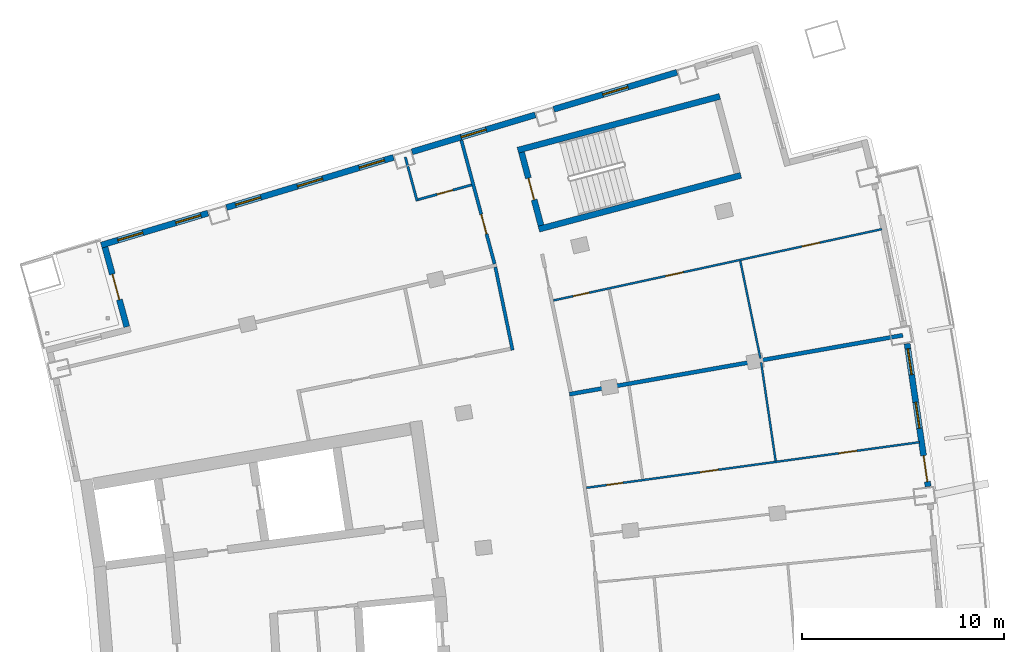
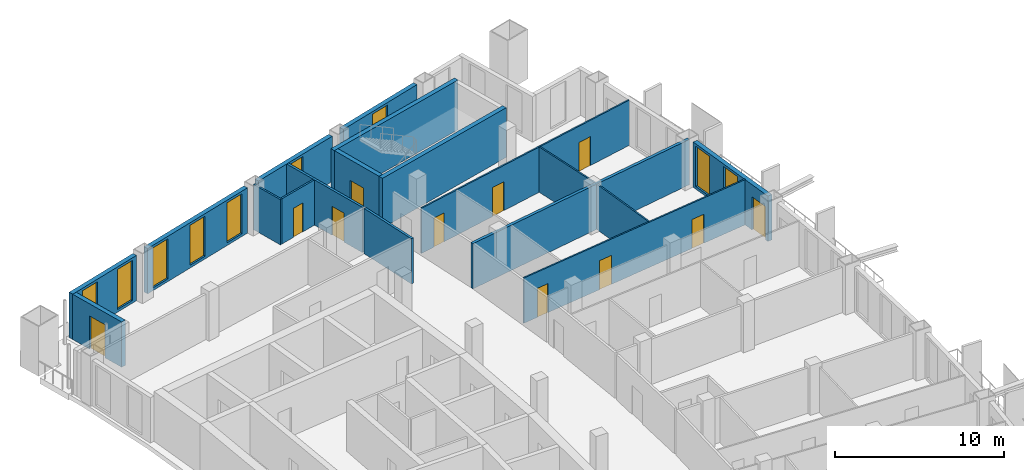
# One storey, part 14 of 17: 18 walls, 11 doors, 9 windows, 20 openings.
"""IFC4 building model written with IfcOpenShell, lengths in metres."""

from ifc_helpers import new_model, si_unit, direction, frame, frame_2d, origin, place, context, subcontext, project, spatial, rectangle, extrude, material, layer, layer_set, type_object, element, fill, save


model = new_model("IFC4")

# Units and contexts
model_context = context("Model", 3, precision=1e-05, world=origin(), true_north=direction((0.0, 1.0)))
body_context = subcontext(model_context, "Body", "Model", "MODEL_VIEW")
ifc_project = project(units=[si_unit("LENGTHUNIT", "METRE"), si_unit("AREAUNIT", "SQUARE_METRE"), si_unit("VOLUMEUNIT", "CUBIC_METRE"), si_unit("PLANEANGLEUNIT", "RADIAN"), si_unit("MASSUNIT", "GRAM", prefix="KILO")], contexts=[model_context])

# Site, building, storey
site_placement = place(None, origin())
site = spatial("IfcSite", under=ifc_project, at=site_placement, CompositionType="ELEMENT")
building_placement = place(site_placement, origin())
building = spatial("IfcBuilding", under=site, at=building_placement, Name="Alderwake Tower", CompositionType="ELEMENT")
storey_placement = place(building_placement, frame((0.0, 0.0, 214.39990234375)))
storey = spatial("IfcBuildingStorey", under=building, at=storey_placement, Name="L53", CompositionType="ELEMENT", Elevation=214.39990234375)

# Walls
ifc_material_1 = material(Name="Concrete C70/85", Category="concrete")
ifc_layer_1 = layer(ifc_material_1, 0.300048828125)
ifc_layer_set_1 = layer_set([ifc_layer_1], Name="Core wall stair enclosure 300 C70-85")
wall_type_1 = type_object("IfcWallType", Name="Core wall stair enclosure 300 C70-85", PredefinedType="SHEAR", material=ifc_layer_set_1)
for number, where, z_axis, x_axis, name in (
    (1, (36.71142578125, 94.182373046875, 0.0), (0.0, 0.0, 1.0), (0.966309214305, 0.257383958996, 0.0), "Core wall CW.082"),
    (2, (37.75390625, 90.268798828125, 0.0), (0.0, 0.0, 1.0), (0.966309214305, 0.257383958996, 0.0), "Core wall CW.084"),
):
    element("IfcWall", number, at=place(storey_placement, frame(where, z_axis=z_axis, x_axis=x_axis)), inside=storey, type_object=wall_type_1, Name=name, PredefinedType="SHEAR", context=body_context, shape_type="SweptSolid", body=[
        extrude(rectangle(XDim=10.360107421875, YDim=0.300048828125, at=frame_2d((5.18017578125, 0.0))), origin(), (0.0, 0.0, 1.0), 3.60009765625),
    ])

# Wall, opening, door
wall_1_placement = place(storey_placement, frame((37.8603515625, 90.452392578125, 0.0), z_axis=(0.0, 0.0, 1.0), x_axis=(-0.257411420208, 0.966301899381, 0.0)))
wall_1 = element("IfcWall", 3, at=wall_1_placement, inside=storey, type_object=wall_type_1, Name="Core wall CW.083", PredefinedType="SHEAR", context=body_context, shape_type="SweptSolid", body=[
    extrude(rectangle(XDim=3.750244140625, YDim=0.300048828125, at=frame_2d((1.875, 0.0))), origin(), (0.0, 0.0, 1.0), 3.60009765625),
])
opening_1_placement = place(wall_1_placement, frame((1.324951171875, 0.0, 0.0)))
opening_1 = element("IfcOpeningElement", 4, at=opening_1_placement, cuts=wall_1, Name="Opening C062", PredefinedType="OPENING", context=body_context, shape_type="SweptSolid", body=[
    extrude(rectangle(XDim=1.10009765625, YDim=2.10009765625, at=frame_2d((0.550048828125, 1.050048828125))), frame((0.0, 0.159912109375, 0.0), z_axis=(0.0, -1.0, 0.0), x_axis=(1.0, 0.0, 0.0)), (0.0, 0.0, 1.0), 0.320068359375),
])
ifc_material_2 = material(Name="Steel-framed fire door leaf", Category="steel")
door_type_1 = type_object("IfcDoorType", Name="Core stair door 1100 fire-rated", OperationType="SINGLE_SWING_LEFT", PredefinedType="DOOR", material=ifc_material_2)
door_1_placement = place(opening_1_placement, origin())
door_1 = element("IfcDoor", 5, at=door_1_placement, inside=storey, type_object=door_type_1, Name="Stair door", OperationType="SINGLE_SWING_RIGHT", OverallHeight=2.10009765625, OverallWidth=1.10009765625, PredefinedType="DOOR", context=body_context, shape_type="SweptSolid", body=[
    extrude(rectangle(XDim=1.10009765625, YDim=2.10009765625, at=frame_2d((0.550048828125, 1.050048828125))), frame((0.0, 0.02490234375, 0.0), z_axis=(0.0, -1.0, 0.0), x_axis=(1.0, 0.0, 0.0)), (0.0, 0.0, 1.0), 0.050048828125),
])
fill(opening_1, door_1)

ifc_material_3 = material(Name="Gypsum board on metal studs, rated")
ifc_layer_2 = layer(ifc_material_3, 0.159912109375)
ifc_layer_set_2 = layer_set([ifc_layer_2], Name="Corridor wall 160")
wall_type_2 = type_object("IfcWallType", Name="Corridor wall 160", PredefinedType="PARTITIONING", material=ifc_layer_set_2)
wall_2_placement = place(storey_placement, frame((35.55908203125, 88.54736328125, 0.0), z_axis=(0.0, 0.0, 1.0), x_axis=(-0.259486497004, 0.965746735885, 0.0)))
wall_2 = element("IfcWall", 6, at=wall_2_placement, inside=storey, type_object=wall_type_2, Name="WL/L53/W13", PredefinedType="PARTITIONING", context=body_context, shape_type="SweptSolid", body=[
    extrude(rectangle(XDim=6.346923828125, YDim=0.159912109375, at=frame_2d((3.17333984375, 0.0))), origin(), (0.0, 0.0, 1.0), 3.280029296875),
])
opening_2_placement = place(wall_2_placement, frame((1.5380859375, 0.0, 0.0)))
opening_2 = element("IfcOpeningElement", 7, at=opening_2_placement, cuts=wall_2, Name="Opening R15-U09.1", PredefinedType="OPENING", context=body_context, shape_type="SweptSolid", body=[
    extrude(rectangle(XDim=1.0, YDim=2.10009765625, at=frame_2d((0.5, 1.050048828125))), frame((0.0, 0.08984375, 0.0), z_axis=(0.0, -1.0, 0.0), x_axis=(1.0, 0.0, 0.0)), (0.0, 0.0, 1.0), 0.179931640625),
])
ifc_material_4 = material(Name="Solid timber leaf in steel frame", Category="steel")
door_type_2 = type_object("IfcDoorType", Name="Flat entrance door 1000 fire-rated", OperationType="SINGLE_SWING_LEFT", PredefinedType="DOOR", material=ifc_material_4)
door_2_placement = place(opening_2_placement, origin())
door_2 = element("IfcDoor", 8, at=door_2_placement, inside=storey, type_object=door_type_2, Name="DR/L53/U09.1", OperationType="SINGLE_SWING_LEFT", OverallHeight=2.10009765625, OverallWidth=1.0, PredefinedType="DOOR", context=body_context, shape_type="SweptSolid", body=[
    extrude(rectangle(XDim=1.0, YDim=2.10009765625, at=frame_2d((0.5, 1.050048828125))), frame((0.0, 0.02490234375, 0.0), z_axis=(0.0, -1.0, 0.0), x_axis=(1.0, 0.0, 0.0)), (0.0, 0.0, 1.0), 0.050048828125),
])
fill(opening_2, door_2)

# Wall
wall_3_placement = place(storey_placement, frame((35.59619140625, 88.3916015625, 0.0), z_axis=(0.0, 0.0, 1.0), x_axis=(0.20329833965, -0.979116839348, 0.0)))
element("IfcWall", 9, at=wall_3_placement, inside=storey, type_object=wall_type_2, Name="WL/L53/W15", PredefinedType="PARTITIONING", context=body_context, shape_type="SweptSolid", body=[
    extrude(rectangle(XDim=4.206787109375, YDim=0.159912109375, at=frame_2d((2.103515625, 0.0))), origin(), (0.0, 0.0, 1.0), 3.280029296875),
])

# Wall, openings, door, windows
ifc_material_5 = material(Name="Precast concrete C50/60 spandrel panel", Category="concrete")
ifc_layer_3 = layer(ifc_material_5, 0.300048828125)
ifc_layer_set_3 = layer_set([ifc_layer_3], Name="External wall EW1 Precast concrete C50/60 spandrel")
wall_type_3 = type_object("IfcWallType", Name="External wall EW1 Precast concrete C50/60 spandrel", PredefinedType="SOLIDWALL", material=ifc_layer_set_3)
wall_4_placement = place(storey_placement, frame((57.04638671875, 77.511962890625, 0.0), z_axis=(0.0, 0.0, 1.0), x_axis=(-0.14528382607, 0.989390019094, 0.0)))
wall_4 = element("IfcWall", 10, at=wall_4_placement, inside=storey, type_object=wall_type_3, Name="External wall 18", PredefinedType="SOLIDWALL", context=body_context, shape_type="SweptSolid", body=[
    extrude(rectangle(XDim=7.156982421875, YDim=0.300048828125, at=frame_2d((3.57861328125, 0.0))), origin(), (0.0, 0.0, 1.0), 3.280029296875),
])
opening_3_placement = place(wall_4_placement, frame((0.24951171875, 0.0, 0.0)))
opening_3 = element("IfcOpeningElement", 11, at=opening_3_placement, cuts=wall_4, Name="Opening D07", PredefinedType="OPENING", context=body_context, shape_type="SweptSolid", body=[
    extrude(rectangle(XDim=1.300048828125, YDim=2.39990234375, at=frame_2d((0.64990234375, 1.199951171875))), frame((0.0, 0.159912109375, 0.0), z_axis=(0.0, -1.0, 0.0), x_axis=(1.0, 0.0, 0.0)), (0.0, 0.0, 1.0), 0.320068359375),
])
opening_4_placement = place(wall_4_placement, frame((2.928466796875, 0.0, 0.199951171875)))
opening_4 = element("IfcOpeningElement", 12, at=opening_4_placement, cuts=wall_4, Name="Opening W1", PredefinedType="OPENING", context=body_context, shape_type="SweptSolid", body=[
    extrude(rectangle(XDim=1.300048828125, YDim=2.89990234375, at=frame_2d((0.64990234375, 1.449951171875))), frame((0.0, 0.159912109375, 0.0), z_axis=(0.0, -1.0, 0.0), x_axis=(1.0, 0.0, 0.0)), (0.0, 0.0, 1.0), 0.320068359375),
])
opening_5_placement = place(wall_4_placement, frame((5.607666015625, 0.0, 0.199951171875)))
opening_5 = element("IfcOpeningElement", 13, at=opening_5_placement, cuts=wall_4, Name="Opening W1", PredefinedType="OPENING", context=body_context, shape_type="SweptSolid", body=[
    extrude(rectangle(XDim=1.300048828125, YDim=2.89990234375, at=frame_2d((0.64990234375, 1.449951171875))), frame((0.0, 0.159912109375, 0.0), z_axis=(0.0, -1.0, 0.0), x_axis=(1.0, 0.0, 0.0)), (0.0, 0.0, 1.0), 0.320068359375),
])
ifc_material_6 = material(Name="Bronze tinted glass in aluminium frame", Category="aluminium")
door_type_3 = type_object("IfcDoorType", Name="Balcony door BD sliding", OperationType="SLIDING_TO_LEFT", PredefinedType="DOOR", material=ifc_material_6)
door_3_placement = place(opening_3_placement, origin())
door_3 = element("IfcDoor", 14, at=door_3_placement, inside=storey, type_object=door_type_3, Name="Door D07", OperationType="SLIDING_TO_LEFT", OverallHeight=2.39990234375, OverallWidth=1.300048828125, PredefinedType="DOOR", context=body_context, shape_type="SweptSolid", body=[
    extrude(rectangle(XDim=1.300048828125, YDim=2.39990234375, at=frame_2d((0.64990234375, 1.199951171875))), frame((0.0, 0.02490234375, 0.0), z_axis=(0.0, -1.0, 0.0), x_axis=(1.0, 0.0, 0.0)), (0.0, 0.0, 1.0), 0.050048828125),
])
fill(opening_3, door_3)
ifc_material_7 = material(Name="Bronze tinted glass in aluminium frame", Category="aluminium")
window_type = type_object("IfcWindowType", Name="Window W1 tall fixed and vent", PartitioningType="DOUBLE_PANEL_VERTICAL", PredefinedType="WINDOW", material=ifc_material_7)
window_1_placement = place(opening_4_placement, origin())
window_1 = element("IfcWindow", 15, at=window_1_placement, inside=storey, type_object=window_type, Name="Window W1 tall fixed and vent", OverallHeight=2.89990234375, OverallWidth=1.300048828125, PartitioningType="DOUBLE_PANEL_VERTICAL", PredefinedType="WINDOW", context=body_context, shape_type="SweptSolid", body=[
    extrude(rectangle(XDim=1.300048828125, YDim=2.89990234375, at=frame_2d((0.64990234375, 1.449951171875))), frame((0.0, 0.030029296875, 0.0), z_axis=(0.0, -1.0, 0.0), x_axis=(1.0, 0.0, 0.0)), (0.0, 0.0, 1.0), 0.06005859375),
])
fill(opening_4, window_1)
window_2_placement = place(opening_5_placement, origin())
window_2 = element("IfcWindow", 16, at=window_2_placement, inside=storey, type_object=window_type, Name="Window W1 tall fixed and vent", OverallHeight=2.89990234375, OverallWidth=1.300048828125, PartitioningType="DOUBLE_PANEL_VERTICAL", PredefinedType="WINDOW", context=body_context, shape_type="SweptSolid", body=[
    extrude(rectangle(XDim=1.300048828125, YDim=2.89990234375, at=frame_2d((0.64990234375, 1.449951171875))), frame((0.0, 0.030029296875, 0.0), z_axis=(0.0, -1.0, 0.0), x_axis=(1.0, 0.0, 0.0)), (0.0, 0.0, 1.0), 0.06005859375),
])
fill(opening_5, window_2)

# Wall, opening, window
ifc_material_8 = material(Name="Bronze metal cladding on lightweight framing")
ifc_layer_4 = layer(ifc_material_8, 0.300048828125)
ifc_layer_set_4 = layer_set([ifc_layer_4], Name="External wall EW2 bronze metal cladding")
wall_type_4 = type_object("IfcWallType", Name="External wall EW2 bronze metal cladding", PredefinedType="SOLIDWALL", material=ifc_layer_set_4)
wall_5_placement = place(storey_placement, frame((44.599365234375, 98.042724609375, 0.0), z_axis=(0.0, 0.0, 1.0), x_axis=(-0.957770447312, -0.287533946266, 0.0)))
wall_5 = element("IfcWall", 17, at=wall_5_placement, inside=storey, type_object=wall_type_4, Name="External wall 24", PredefinedType="SOLIDWALL", context=body_context, shape_type="SweptSolid", body=[
    extrude(rectangle(XDim=6.380126953125, YDim=0.300048828125, at=frame_2d((3.18994140625, 0.0))), origin(), (0.0, 0.0, 1.0), 3.280029296875),
])
opening_6_placement = place(wall_5_placement, frame((2.5400390625, 0.0, 0.199951171875)))
opening_6 = element("IfcOpeningElement", 18, at=opening_6_placement, cuts=wall_5, Name="Opening W1", PredefinedType="OPENING", context=body_context, shape_type="SweptSolid", body=[
    extrude(rectangle(XDim=1.300048828125, YDim=2.89990234375, at=frame_2d((0.64990234375, 1.449951171875))), frame((0.0, 0.159912109375, 0.0), z_axis=(0.0, -1.0, 0.0), x_axis=(1.0, 0.0, 0.0)), (0.0, 0.0, 1.0), 0.320068359375),
])
window_3_placement = place(opening_6_placement, origin())
window_3 = element("IfcWindow", 19, at=window_3_placement, inside=storey, type_object=window_type, Name="Window W1 tall fixed and vent", OverallHeight=2.89990234375, OverallWidth=1.300048828125, PartitioningType="DOUBLE_PANEL_VERTICAL", PredefinedType="WINDOW", context=body_context, shape_type="SweptSolid", body=[
    extrude(rectangle(XDim=1.300048828125, YDim=2.89990234375, at=frame_2d((0.64990234375, 1.449951171875))), frame((0.0, 0.030029296875, 0.0), z_axis=(0.0, -1.0, 0.0), x_axis=(1.0, 0.0, 0.0)), (0.0, 0.0, 1.0), 0.06005859375),
])
fill(opening_6, window_3)

wall_6_placement = place(storey_placement, frame((37.575439453125, 95.93408203125, 0.0), z_axis=(0.0, 0.0, 1.0), x_axis=(-0.957767283432, -0.287544484885, 0.0)))
wall_6 = element("IfcWall", 20, at=wall_6_placement, inside=storey, type_object=wall_type_4, Name="External wall 25", PredefinedType="SOLIDWALL", context=body_context, shape_type="SweptSolid", body=[
    extrude(rectangle(XDim=6.3798828125, YDim=0.300048828125, at=frame_2d((3.18994140625, 0.0))), origin(), (0.0, 0.0, 1.0), 3.280029296875),
])
opening_7_placement = place(wall_6_placement, frame((2.539794921875, 0.0, 0.199951171875)))
opening_7 = element("IfcOpeningElement", 21, at=opening_7_placement, cuts=wall_6, Name="Opening W1", PredefinedType="OPENING", context=body_context, shape_type="SweptSolid", body=[
    extrude(rectangle(XDim=1.300048828125, YDim=2.89990234375, at=frame_2d((0.64990234375, 1.449951171875))), frame((0.0, 0.159912109375, 0.0), z_axis=(0.0, -1.0, 0.0), x_axis=(1.0, 0.0, 0.0)), (0.0, 0.0, 1.0), 0.320068359375),
])
window_4_placement = place(opening_7_placement, origin())
window_4 = element("IfcWindow", 22, at=window_4_placement, inside=storey, type_object=window_type, Name="Window W1 tall fixed and vent", OverallHeight=2.89990234375, OverallWidth=1.300048828125, PartitioningType="DOUBLE_PANEL_VERTICAL", PredefinedType="WINDOW", context=body_context, shape_type="SweptSolid", body=[
    extrude(rectangle(XDim=1.300048828125, YDim=2.89990234375, at=frame_2d((0.64990234375, 1.449951171875))), frame((0.0, 0.030029296875, 0.0), z_axis=(0.0, -1.0, 0.0), x_axis=(1.0, 0.0, 0.0)), (0.0, 0.0, 1.0), 0.06005859375),
])
fill(opening_7, window_4)

# Wall, openings, windows
wall_7_placement = place(storey_placement, frame((30.551513671875, 93.8251953125, 0.0), z_axis=(0.0, 0.0, 1.0), x_axis=(-0.957767198916, -0.287544766394, 0.0)))
wall_7 = element("IfcWall", 23, at=wall_7_placement, inside=storey, type_object=wall_type_4, Name="External wall 26", PredefinedType="SOLIDWALL", context=body_context, shape_type="SweptSolid", body=[
    extrude(rectangle(XDim=8.64599609375, YDim=0.300048828125, at=frame_2d((4.322998046875, 0.0))), origin(), (0.0, 0.0, 1.0), 3.280029296875),
])
opening_8_placement = place(wall_7_placement, frame((0.47314453125, 0.0, 0.199951171875)))
opening_8 = element("IfcOpeningElement", 24, at=opening_8_placement, cuts=wall_7, Name="Opening W1", PredefinedType="OPENING", context=body_context, shape_type="SweptSolid", body=[
    extrude(rectangle(XDim=1.300048828125, YDim=2.89990234375, at=frame_2d((0.64990234375, 1.449951171875))), frame((0.0, 0.159912109375, 0.0), z_axis=(0.0, -1.0, 0.0), x_axis=(1.0, 0.0, 0.0)), (0.0, 0.0, 1.0), 0.320068359375),
])
opening_9_placement = place(wall_7_placement, frame((3.673095703125, 0.0, 0.199951171875)))
opening_9 = element("IfcOpeningElement", 25, at=opening_9_placement, cuts=wall_7, Name="Opening W1", PredefinedType="OPENING", context=body_context, shape_type="SweptSolid", body=[
    extrude(rectangle(XDim=1.300048828125, YDim=2.89990234375, at=frame_2d((0.64990234375, 1.449951171875))), frame((0.0, 0.159912109375, 0.0), z_axis=(0.0, -1.0, 0.0), x_axis=(1.0, 0.0, 0.0)), (0.0, 0.0, 1.0), 0.320068359375),
])
opening_10_placement = place(wall_7_placement, frame((6.873291015625, 0.0, 0.199951171875)))
opening_10 = element("IfcOpeningElement", 26, at=opening_10_placement, cuts=wall_7, Name="Opening W1", PredefinedType="OPENING", context=body_context, shape_type="SweptSolid", body=[
    extrude(rectangle(XDim=1.300048828125, YDim=2.89990234375, at=frame_2d((0.64990234375, 1.449951171875))), frame((0.0, 0.159912109375, 0.0), z_axis=(0.0, -1.0, 0.0), x_axis=(1.0, 0.0, 0.0)), (0.0, 0.0, 1.0), 0.320068359375),
])
window_5_placement = place(opening_8_placement, origin())
window_5 = element("IfcWindow", 27, at=window_5_placement, inside=storey, type_object=window_type, Name="Window W1 tall fixed and vent", OverallHeight=2.89990234375, OverallWidth=1.300048828125, PartitioningType="DOUBLE_PANEL_VERTICAL", PredefinedType="WINDOW", context=body_context, shape_type="SweptSolid", body=[
    extrude(rectangle(XDim=1.300048828125, YDim=2.89990234375, at=frame_2d((0.64990234375, 1.449951171875))), frame((0.0, 0.030029296875, 0.0), z_axis=(0.0, -1.0, 0.0), x_axis=(1.0, 0.0, 0.0)), (0.0, 0.0, 1.0), 0.06005859375),
])
fill(opening_8, window_5)
window_6_placement = place(opening_9_placement, origin())
window_6 = element("IfcWindow", 28, at=window_6_placement, inside=storey, type_object=window_type, Name="Window W1 tall fixed and vent", OverallHeight=2.89990234375, OverallWidth=1.300048828125, PartitioningType="DOUBLE_PANEL_VERTICAL", PredefinedType="WINDOW", context=body_context, shape_type="SweptSolid", body=[
    extrude(rectangle(XDim=1.300048828125, YDim=2.89990234375, at=frame_2d((0.64990234375, 1.449951171875))), frame((0.0, 0.030029296875, 0.0), z_axis=(0.0, -1.0, 0.0), x_axis=(1.0, 0.0, 0.0)), (0.0, 0.0, 1.0), 0.06005859375),
])
fill(opening_9, window_6)
window_7_placement = place(opening_10_placement, origin())
window_7 = element("IfcWindow", 29, at=window_7_placement, inside=storey, type_object=window_type, Name="Window W1 tall fixed and vent", OverallHeight=2.89990234375, OverallWidth=1.300048828125, PartitioningType="DOUBLE_PANEL_VERTICAL", PredefinedType="WINDOW", context=body_context, shape_type="SweptSolid", body=[
    extrude(rectangle(XDim=1.300048828125, YDim=2.89990234375, at=frame_2d((0.64990234375, 1.449951171875))), frame((0.0, 0.030029296875, 0.0), z_axis=(0.0, -1.0, 0.0), x_axis=(1.0, 0.0, 0.0)), (0.0, 0.0, 1.0), 0.06005859375),
])
fill(opening_10, window_7)

wall_8_placement = place(storey_placement, frame((21.356689453125, 91.064697265625, 0.0), z_axis=(0.0, 0.0, 1.0), x_axis=(-0.957772749247, -0.287526278451, 0.0)))
wall_8 = element("IfcWall", 30, at=wall_8_placement, inside=storey, type_object=wall_type_4, Name="External wall 27", PredefinedType="SOLIDWALL", context=body_context, shape_type="SweptSolid", body=[
    extrude(rectangle(XDim=5.524169921875, YDim=0.300048828125, at=frame_2d((2.76220703125, 0.0))), origin(), (0.0, 0.0, 1.0), 3.280029296875),
])
opening_11_placement = place(wall_8_placement, frame((0.373291015625, 0.0, 0.199951171875)))
opening_11 = element("IfcOpeningElement", 31, at=opening_11_placement, cuts=wall_8, Name="Opening W1", PredefinedType="OPENING", context=body_context, shape_type="SweptSolid", body=[
    extrude(rectangle(XDim=1.300048828125, YDim=2.89990234375, at=frame_2d((0.64990234375, 1.449951171875))), frame((0.0, 0.159912109375, 0.0), z_axis=(0.0, -1.0, 0.0), x_axis=(1.0, 0.0, 0.0)), (0.0, 0.0, 1.0), 0.320068359375),
])
opening_12_placement = place(wall_8_placement, frame((3.3740234375, 0.0, 0.199951171875)))
opening_12 = element("IfcOpeningElement", 32, at=opening_12_placement, cuts=wall_8, Name="Opening W1", PredefinedType="OPENING", context=body_context, shape_type="SweptSolid", body=[
    extrude(rectangle(XDim=1.300048828125, YDim=2.89990234375, at=frame_2d((0.64990234375, 1.449951171875))), frame((0.0, 0.159912109375, 0.0), z_axis=(0.0, -1.0, 0.0), x_axis=(1.0, 0.0, 0.0)), (0.0, 0.0, 1.0), 0.320068359375),
])
window_8_placement = place(opening_11_placement, origin())
window_8 = element("IfcWindow", 33, at=window_8_placement, inside=storey, type_object=window_type, Name="Window W1 tall fixed and vent", OverallHeight=2.89990234375, OverallWidth=1.300048828125, PartitioningType="DOUBLE_PANEL_VERTICAL", PredefinedType="WINDOW", context=body_context, shape_type="SweptSolid", body=[
    extrude(rectangle(XDim=1.300048828125, YDim=2.89990234375, at=frame_2d((0.64990234375, 1.449951171875))), frame((0.0, 0.030029296875, 0.0), z_axis=(0.0, -1.0, 0.0), x_axis=(1.0, 0.0, 0.0)), (0.0, 0.0, 1.0), 0.06005859375),
])
fill(opening_11, window_8)
window_9_placement = place(opening_12_placement, origin())
window_9 = element("IfcWindow", 34, at=window_9_placement, inside=storey, type_object=window_type, Name="Window W1 tall fixed and vent", OverallHeight=2.89990234375, OverallWidth=1.300048828125, PartitioningType="DOUBLE_PANEL_VERTICAL", PredefinedType="WINDOW", context=body_context, shape_type="SweptSolid", body=[
    extrude(rectangle(XDim=1.300048828125, YDim=2.89990234375, at=frame_2d((0.64990234375, 1.449951171875))), frame((0.0, 0.030029296875, 0.0), z_axis=(0.0, -1.0, 0.0), x_axis=(1.0, 0.0, 0.0)), (0.0, 0.0, 1.0), 0.06005859375),
])
fill(opening_12, window_9)

# Wall, opening, door
wall_9_placement = place(storey_placement, frame((16.248779296875, 89.374755859375, 0.0), z_axis=(0.0, 0.0, 1.0), x_axis=(0.264607053468, -0.964356317579, 0.0)))
wall_9 = element("IfcWall", 35, at=wall_9_placement, inside=storey, type_object=wall_type_4, Name="External wall 28", PredefinedType="SOLIDWALL", context=body_context, shape_type="SweptSolid", body=[
    extrude(rectangle(XDim=4.090087890625, YDim=0.300048828125, at=frame_2d((2.044921875, 0.0))), origin(), (0.0, 0.0, 1.0), 3.280029296875),
])
opening_13_placement = place(wall_9_placement, frame((1.39501953125, 0.0, 0.0)))
opening_13 = element("IfcOpeningElement", 36, at=opening_13_placement, cuts=wall_9, Name="Opening D09", PredefinedType="OPENING", context=body_context, shape_type="SweptSolid", body=[
    extrude(rectangle(XDim=1.300048828125, YDim=2.39990234375, at=frame_2d((0.64990234375, 1.199951171875))), frame((0.0, 0.159912109375, 0.0), z_axis=(0.0, -1.0, 0.0), x_axis=(1.0, 0.0, 0.0)), (0.0, 0.0, 1.0), 0.320068359375),
])
door_4_placement = place(opening_13_placement, origin())
door_4 = element("IfcDoor", 37, at=door_4_placement, inside=storey, type_object=door_type_3, Name="Door D09", OperationType="SLIDING_TO_LEFT", OverallHeight=2.39990234375, OverallWidth=1.300048828125, PredefinedType="DOOR", context=body_context, shape_type="SweptSolid", body=[
    extrude(rectangle(XDim=1.300048828125, YDim=2.39990234375, at=frame_2d((0.64990234375, 1.199951171875))), frame((0.0, 0.02490234375, 0.0), z_axis=(0.0, -1.0, 0.0), x_axis=(1.0, 0.0, 0.0)), (0.0, 0.0, 1.0), 0.050048828125),
])
fill(opening_13, door_4)

# Wall
ifc_material_9 = material(Name="Dense block masonry wall", Category="masonry")
ifc_layer_5 = layer(ifc_material_9, 0.199951171875)
ifc_layer_set_5 = layer_set([ifc_layer_5], Name="Party wall 200")
wall_type_5 = type_object("IfcWallType", Name="Party wall 200", PredefinedType="SOLIDWALL", material=ifc_layer_set_5)
wall_10_placement = place(storey_placement, frame((55.7939453125, 85.010986328125, 0.0), z_axis=(0.0, 0.0, 1.0), x_axis=(-0.984704809024, -0.174230993468, 0.0)))
element("IfcWall", 38, at=wall_10_placement, inside=storey, type_object=wall_type_5, Name="WL/L53/W02", PredefinedType="SOLIDWALL", context=body_context, shape_type="SweptSolid", body=[
    extrude(rectangle(XDim=16.78125, YDim=0.199951171875, at=frame_2d((8.390625, 0.0))), origin(), (0.0, 0.0, 1.0), 3.280029296875),
])

# Wall, openings, doors
ifc_material_10 = material(Name="Gypsum board on metal studs")
ifc_layer_6 = layer(ifc_material_10, 0.10009765625)
ifc_layer_set_6 = layer_set([ifc_layer_6], Name="Unit partition 100")
wall_type_6 = type_object("IfcWallType", Name="Unit partition 100", PredefinedType="PARTITIONING", material=ifc_layer_set_6)
wall_11_placement = place(storey_placement, frame((54.7529296875, 90.27001953125, 0.0), z_axis=(0.0, 0.0, 1.0), x_axis=(-0.977230954278, -0.212178373077, 0.0)))
wall_11 = element("IfcWall", 39, at=wall_11_placement, inside=storey, type_object=wall_type_6, Name="WL/L53/W40", PredefinedType="PARTITIONING", context=body_context, shape_type="SweptSolid", body=[
    extrude(rectangle(XDim=16.66015625, YDim=0.10009765625, at=frame_2d((8.330078125, 0.0))), origin(), (0.0, 0.0, 1.0), 3.280029296875),
])
opening_14_placement = place(wall_11_placement, frame((10.066162109375, 0.0, 0.0)))
opening_14 = element("IfcOpeningElement", 40, at=opening_14_placement, cuts=wall_11, Name="Opening R15-U07.1", PredefinedType="OPENING", context=body_context, shape_type="SweptSolid", body=[
    extrude(rectangle(XDim=0.89990234375, YDim=2.10009765625, at=frame_2d((0.449951171875, 1.050048828125))), frame((0.0, 0.06005859375, 0.0), z_axis=(0.0, -1.0, 0.0), x_axis=(1.0, 0.0, 0.0)), (0.0, 0.0, 1.0), 0.1201171875),
])
opening_15_placement = place(wall_11_placement, frame((14.851318359375, 0.0, 0.0)))
opening_15 = element("IfcOpeningElement", 41, at=opening_15_placement, cuts=wall_11, Name="Opening R15-U07.3", PredefinedType="OPENING", context=body_context, shape_type="SweptSolid", body=[
    extrude(rectangle(XDim=0.800048828125, YDim=2.10009765625, at=frame_2d((0.39990234375, 1.050048828125))), frame((0.0, 0.06005859375, 0.0), z_axis=(0.0, -1.0, 0.0), x_axis=(1.0, 0.0, 0.0)), (0.0, 0.0, 1.0), 0.1201171875),
])
opening_16_placement = place(wall_11_placement, frame((3.145263671875, 0.0, 0.0)))
opening_16 = element("IfcOpeningElement", 42, at=opening_16_placement, cuts=wall_11, Name="Opening R15-U07.4", PredefinedType="OPENING", context=body_context, shape_type="SweptSolid", body=[
    extrude(rectangle(XDim=0.89990234375, YDim=2.10009765625, at=frame_2d((0.449951171875, 1.050048828125))), frame((0.0, 0.06005859375, 0.0), z_axis=(0.0, -1.0, 0.0), x_axis=(1.0, 0.0, 0.0)), (0.0, 0.0, 1.0), 0.1201171875),
])
ifc_material_11 = material(Name="Painted timber leaf", Category="wood")
door_type_4 = type_object("IfcDoorType", Name="Bathroom door 800", OperationType="SINGLE_SWING_LEFT", PredefinedType="DOOR", material=ifc_material_11)
door_5_placement = place(opening_15_placement, origin())
door_5 = element("IfcDoor", 43, at=door_5_placement, inside=storey, type_object=door_type_4, Name="DR/L53/U07.3", OperationType="SINGLE_SWING_LEFT", OverallHeight=2.10009765625, OverallWidth=0.800048828125, PredefinedType="DOOR", context=body_context, shape_type="SweptSolid", body=[
    extrude(rectangle(XDim=0.800048828125, YDim=2.10009765625, at=frame_2d((0.39990234375, 1.050048828125))), frame((0.0, 0.02490234375, 0.0), z_axis=(0.0, -1.0, 0.0), x_axis=(1.0, 0.0, 0.0)), (0.0, 0.0, 1.0), 0.050048828125),
])
fill(opening_15, door_5)
ifc_material_12 = material(Name="Painted timber leaf", Category="wood")
door_type_5 = type_object("IfcDoorType", Name="Room door 900", OperationType="SINGLE_SWING_LEFT", PredefinedType="DOOR", material=ifc_material_12)
door_6_placement = place(opening_14_placement, origin())
door_6 = element("IfcDoor", 44, at=door_6_placement, inside=storey, type_object=door_type_5, Name="DR/L53/U07.1", OperationType="SINGLE_SWING_LEFT", OverallHeight=2.10009765625, OverallWidth=0.89990234375, PredefinedType="DOOR", context=body_context, shape_type="SweptSolid", body=[
    extrude(rectangle(XDim=0.89990234375, YDim=2.10009765625, at=frame_2d((0.449951171875, 1.050048828125))), frame((0.0, 0.02490234375, 0.0), z_axis=(0.0, -1.0, 0.0), x_axis=(1.0, 0.0, 0.0)), (0.0, 0.0, 1.0), 0.050048828125),
])
fill(opening_14, door_6)
door_7_placement = place(opening_16_placement, origin())
door_7 = element("IfcDoor", 45, at=door_7_placement, inside=storey, type_object=door_type_5, Name="DR/L53/U07.4", OperationType="SINGLE_SWING_LEFT", OverallHeight=2.10009765625, OverallWidth=0.89990234375, PredefinedType="DOOR", context=body_context, shape_type="SweptSolid", body=[
    extrude(rectangle(XDim=0.89990234375, YDim=2.10009765625, at=frame_2d((0.449951171875, 1.050048828125))), frame((0.0, 0.02490234375, 0.0), z_axis=(0.0, -1.0, 0.0), x_axis=(1.0, 0.0, 0.0)), (0.0, 0.0, 1.0), 0.050048828125),
])
fill(opening_16, door_7)

wall_12_placement = place(storey_placement, frame((40.1142578125, 77.449951171875, 0.0), z_axis=(0.0, 0.0, 1.0), x_axis=(0.990758161206, 0.135640207914, 0.0)))
wall_12 = element("IfcWall", 46, at=wall_12_placement, inside=storey, type_object=wall_type_6, Name="WL/L53/W43", PredefinedType="PARTITIONING", context=body_context, shape_type="SweptSolid", body=[
    extrude(rectangle(XDim=16.661865234375, YDim=0.10009765625, at=frame_2d((8.3310546875, 0.0))), origin(), (0.0, 0.0, 1.0), 3.280029296875),
])
opening_17_placement = place(wall_12_placement, frame((5.693603515625, 0.0, 0.0)))
opening_17 = element("IfcOpeningElement", 47, at=opening_17_placement, cuts=wall_12, Name="Opening R15-U06.5", PredefinedType="OPENING", context=body_context, shape_type="SweptSolid", body=[
    extrude(rectangle(XDim=0.89990234375, YDim=2.10009765625, at=frame_2d((0.449951171875, 1.050048828125))), frame((0.0, 0.06005859375, 0.0), z_axis=(0.0, -1.0, 0.0), x_axis=(1.0, 0.0, 0.0)), (0.0, 0.0, 1.0), 0.1201171875),
])
opening_18_placement = place(wall_12_placement, frame((1.0087890625, 0.0, 0.0)))
opening_18 = element("IfcOpeningElement", 48, at=opening_18_placement, cuts=wall_12, Name="Opening R15-U06.6", PredefinedType="OPENING", context=body_context, shape_type="SweptSolid", body=[
    extrude(rectangle(XDim=0.800048828125, YDim=2.10009765625, at=frame_2d((0.39990234375, 1.050048828125))), frame((0.0, 0.06005859375, 0.0), z_axis=(0.0, -1.0, 0.0), x_axis=(1.0, 0.0, 0.0)), (0.0, 0.0, 1.0), 0.1201171875),
])
opening_19_placement = place(wall_12_placement, frame((12.615478515625, 0.0, 0.0)))
opening_19 = element("IfcOpeningElement", 49, at=opening_19_placement, cuts=wall_12, Name="Opening R15-U06.7", PredefinedType="OPENING", context=body_context, shape_type="SweptSolid", body=[
    extrude(rectangle(XDim=0.89990234375, YDim=2.10009765625, at=frame_2d((0.449951171875, 1.050048828125))), frame((0.0, 0.06005859375, 0.0), z_axis=(0.0, -1.0, 0.0), x_axis=(1.0, 0.0, 0.0)), (0.0, 0.0, 1.0), 0.1201171875),
])
door_8_placement = place(opening_18_placement, origin())
door_8 = element("IfcDoor", 50, at=door_8_placement, inside=storey, type_object=door_type_4, Name="DR/L53/U06.6", OperationType="SINGLE_SWING_LEFT", OverallHeight=2.10009765625, OverallWidth=0.800048828125, PredefinedType="DOOR", context=body_context, shape_type="SweptSolid", body=[
    extrude(rectangle(XDim=0.800048828125, YDim=2.10009765625, at=frame_2d((0.39990234375, 1.050048828125))), frame((0.0, 0.02490234375, 0.0), z_axis=(0.0, -1.0, 0.0), x_axis=(1.0, 0.0, 0.0)), (0.0, 0.0, 1.0), 0.050048828125),
])
fill(opening_18, door_8)
door_9_placement = place(opening_17_placement, origin())
door_9 = element("IfcDoor", 51, at=door_9_placement, inside=storey, type_object=door_type_5, Name="DR/L53/U06.5", OperationType="SINGLE_SWING_LEFT", OverallHeight=2.10009765625, OverallWidth=0.89990234375, PredefinedType="DOOR", context=body_context, shape_type="SweptSolid", body=[
    extrude(rectangle(XDim=0.89990234375, YDim=2.10009765625, at=frame_2d((0.449951171875, 1.050048828125))), frame((0.0, 0.02490234375, 0.0), z_axis=(0.0, -1.0, 0.0), x_axis=(1.0, 0.0, 0.0)), (0.0, 0.0, 1.0), 0.050048828125),
])
fill(opening_17, door_9)
door_10_placement = place(opening_19_placement, origin())
door_10 = element("IfcDoor", 52, at=door_10_placement, inside=storey, type_object=door_type_5, Name="DR/L53/U06.7", OperationType="SINGLE_SWING_LEFT", OverallHeight=2.10009765625, OverallWidth=0.89990234375, PredefinedType="DOOR", context=body_context, shape_type="SweptSolid", body=[
    extrude(rectangle(XDim=0.89990234375, YDim=2.10009765625, at=frame_2d((0.449951171875, 1.050048828125))), frame((0.0, 0.02490234375, 0.0), z_axis=(0.0, -1.0, 0.0), x_axis=(1.0, 0.0, 0.0)), (0.0, 0.0, 1.0), 0.050048828125),
])
fill(opening_19, door_10)

# Walls
wall_13_placement = place(storey_placement, frame((48.735595703125, 83.864013671875, 0.0), z_axis=(0.0, 0.0, 1.0), x_axis=(-0.202451741982, 0.979292240431, 0.0)))
element("IfcWall", 53, at=wall_13_placement, inside=storey, type_object=wall_type_6, Name="WL/L53/W50", PredefinedType="PARTITIONING", context=body_context, shape_type="SweptSolid", body=[
    extrude(rectangle(XDim=4.93212890625, YDim=0.10009765625, at=frame_2d((2.466064453125, 0.0))), origin(), (0.0, 0.0, 1.0), 3.280029296875),
])
wall_14_placement = place(storey_placement, frame((49.48974609375, 78.784423828125, 0.0), z_axis=(0.0, 0.0, 1.0), x_axis=(-0.145734669437, 0.989323711494, 0.0)))
element("IfcWall", 54, at=wall_14_placement, inside=storey, type_object=wall_type_6, Name="WL/L53/W51", PredefinedType="PARTITIONING", context=body_context, shape_type="SweptSolid", body=[
    extrude(rectangle(XDim=4.935302734375, YDim=0.10009765625, at=frame_2d((2.4677734375, 0.0))), origin(), (0.0, 0.0, 1.0), 3.280029296875),
])
ifc_material_13 = material(Name="Moisture resistant gypsum board on metal studs")
ifc_layer_7 = layer(ifc_material_13, 0.1201171875)
ifc_layer_set_7 = layer_set([ifc_layer_7], Name="Wet room partition 120")
wall_type_7 = type_object("IfcWallType", Name="Wet room partition 120", PredefinedType="PARTITIONING", material=ifc_layer_set_7)
wall_15_placement = place(storey_placement, frame((31.134033203125, 93.843017578125, 0.0), z_axis=(0.0, 0.0, 1.0), x_axis=(0.260139854323, -0.965570948296, 0.0)))
element("IfcWall", 55, at=wall_15_placement, inside=storey, type_object=wall_type_7, Name="WL/L53/W28", PredefinedType="PARTITIONING", context=body_context, shape_type="SweptSolid", body=[
    extrude(rectangle(XDim=2.2626953125, YDim=0.1201171875, at=frame_2d((1.13134765625, 0.0))), origin(), (0.0, 0.0, 1.0), 3.280029296875),
])

# Wall, opening, door
wall_16_placement = place(storey_placement, frame((31.764892578125, 91.73193359375, 0.0), z_axis=(0.0, 0.0, 1.0), x_axis=(0.964278304966, 0.264891205163, 0.0)))
wall_16 = element("IfcWall", 56, at=wall_16_placement, inside=storey, type_object=wall_type_7, Name="WL/L53/W30", PredefinedType="PARTITIONING", context=body_context, shape_type="SweptSolid", body=[
    extrude(rectangle(XDim=2.759521484375, YDim=0.1201171875, at=frame_2d((1.3798828125, 0.0))), origin(), (0.0, 0.0, 1.0), 3.280029296875),
])
opening_20_placement = place(wall_16_placement, frame((0.979736328125, 0.0, 0.0)))
opening_20 = element("IfcOpeningElement", 57, at=opening_20_placement, cuts=wall_16, Name="Opening R15-U09.2", PredefinedType="OPENING", context=body_context, shape_type="SweptSolid", body=[
    extrude(rectangle(XDim=0.800048828125, YDim=2.10009765625, at=frame_2d((0.39990234375, 1.050048828125))), frame((0.0, 0.070068359375, 0.0), z_axis=(0.0, -1.0, 0.0), x_axis=(1.0, 0.0, 0.0)), (0.0, 0.0, 1.0), 0.14013671875),
])
door_11_placement = place(opening_20_placement, origin())
door_11 = element("IfcDoor", 58, at=door_11_placement, inside=storey, type_object=door_type_4, Name="DR/L53/U09.2", OperationType="SINGLE_SWING_LEFT", OverallHeight=2.10009765625, OverallWidth=0.800048828125, PredefinedType="DOOR", context=body_context, shape_type="SweptSolid", body=[
    extrude(rectangle(XDim=0.800048828125, YDim=2.10009765625, at=frame_2d((0.39990234375, 1.050048828125))), frame((0.0, 0.02490234375, 0.0), z_axis=(0.0, -1.0, 0.0), x_axis=(1.0, 0.0, 0.0)), (0.0, 0.0, 1.0), 0.050048828125),
])
fill(opening_20, door_11)

save(model, "model.ifc")
